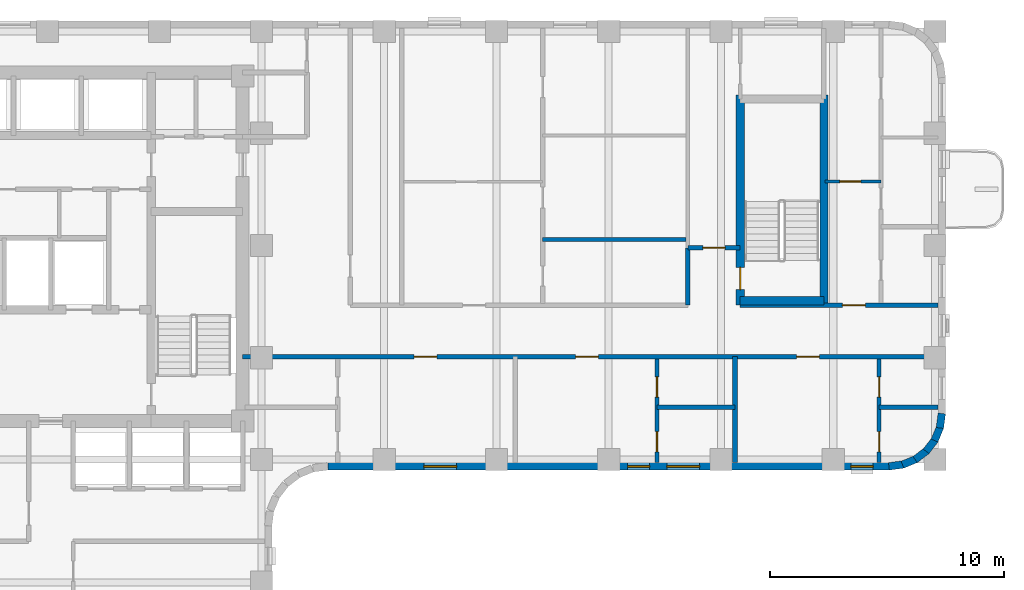
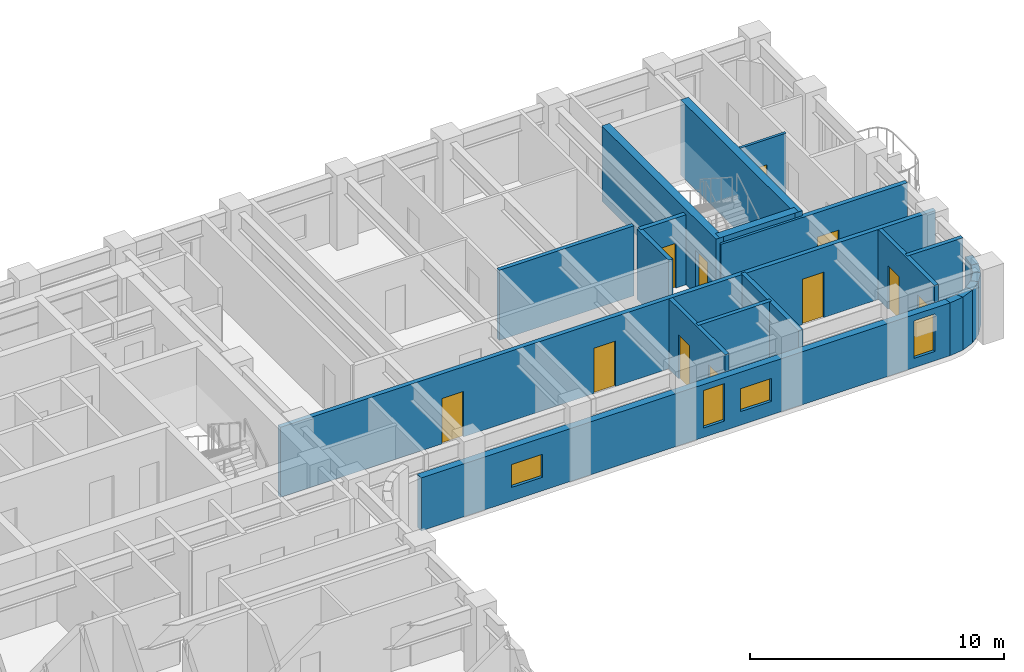
# One storey, part 7 of 11: 21 walls, 11 doors, 4 windows, 15 openings.
"""IFC4 building model written with IfcOpenShell, lengths in metres."""

from ifc_helpers import new_model, si_unit, direction, frame, frame_2d, origin, place, context, subcontext, project, spatial, rectangle, extrude, material, layer, layer_set, type_object, element, fill, save


model = new_model("IFC4")

# Units and contexts
model_context = context("Model", 3, precision=1e-05, world=origin(), true_north=direction((0.0, 1.0)))
body_context = subcontext(model_context, "Body", "Model", "MODEL_VIEW")
ifc_project = project(units=[si_unit("LENGTHUNIT", "METRE"), si_unit("AREAUNIT", "SQUARE_METRE"), si_unit("VOLUMEUNIT", "CUBIC_METRE"), si_unit("PLANEANGLEUNIT", "RADIAN"), si_unit("MASSUNIT", "GRAM", prefix="KILO")], contexts=[model_context])

# Site, building, storey
site_placement = place(None, origin())
site = spatial("IfcSite", under=ifc_project, at=site_placement, CompositionType="ELEMENT")
building_placement = place(site_placement, origin())
building = spatial("IfcBuilding", under=site, at=building_placement, Name="Orvandelia Arch Residences", CompositionType="ELEMENT")
storey_placement = place(building_placement, frame((0.0, 0.0, 125.199951171875)))
storey = spatial("IfcBuildingStorey", under=building, at=storey_placement, Name="L32", CompositionType="ELEMENT", Elevation=125.199951171875)

# Wall, opening, door
ifc_material_1 = material(Name="Concrete C50/60", Category="concrete")
ifc_layer_1 = layer(ifc_material_1, 0.35009765625, Name="Concrete C50/60", Category="concrete")
ifc_layer_set_1 = layer_set([ifc_layer_1], Name="Concrete C50/60")
wall_type_1 = type_object("IfcWallType", Name="WL-CORE-350", PredefinedType="SHEAR", material=ifc_layer_set_1)
wall_1_placement = place(storey_placement, frame((44.02001953125, 35.864990234375, 0.0), z_axis=(0.0, 0.0, 1.0), x_axis=(0.0, 1.0, 0.0)))
wall_1 = element("IfcWall", 1, at=wall_1_placement, inside=storey, type_object=wall_type_1, Name="East Stair Core Shear Wall L32-W", PredefinedType="SHEAR", context=body_context, shape_type="SweptSolid", body=[
    extrude(rectangle(XDim=8.969970703125, YDim=0.35009765625, at=frame_2d((4.48486328125, 0.0))), origin(), (0.0, 0.0, 1.0), 3.60009765625),
])
opening_1_placement = place(wall_1_placement, frame((0.64990234375, 0.0, 0.0)))
opening_1 = element("IfcOpeningElement", 2, at=opening_1_placement, cuts=wall_1, Name="Opening D7", PredefinedType="OPENING", context=body_context, shape_type="SweptSolid", body=[
    extrude(rectangle(XDim=0.949951171875, YDim=2.10009765625, at=frame_2d((0.47509765625, 1.050048828125))), frame((0.0, 0.18505859375, 0.0), z_axis=(0.0, -1.0, 0.0), x_axis=(1.0, 0.0, 0.0)), (0.0, 0.0, 1.0), 0.3701171875),
])
ifc_material_2 = material(Name="Pressurised Stairwell Fire Door")
door_type_1 = type_object("IfcDoorType", Name="DR-STAIR-950", OperationType="NOTDEFINED", PredefinedType="DOOR", material=ifc_material_2)
door_1_placement = place(opening_1_placement, origin())
door_1 = element("IfcDoor", 3, at=door_1_placement, inside=storey, type_object=door_type_1, Name="East Stairwell ST-3 Fire Door L32", OperationType="SINGLE_SWING_LEFT", OverallHeight=2.10009765625, OverallWidth=0.949951171875, PredefinedType="DOOR", context=body_context, shape_type="SweptSolid", body=[
    extrude(rectangle(XDim=0.949951171875, YDim=2.10009765625, at=frame_2d((0.47509765625, 1.050048828125))), frame((0.0, 0.02490234375, 0.0), z_axis=(0.0, -1.0, 0.0), x_axis=(1.0, 0.0, 0.0)), (0.0, 0.0, 1.0), 0.050048828125),
])
fill(opening_1, door_1)

# Walls
wall_2_placement = place(storey_placement, frame((47.60009765625, 35.864990234375, 0.0), z_axis=(0.0, 0.0, 1.0), x_axis=(0.0, 1.0, 0.0)))
element("IfcWall", 4, at=wall_2_placement, inside=storey, type_object=wall_type_1, Name="East Stair Core Shear Wall L32-E", PredefinedType="SHEAR", context=body_context, shape_type="SweptSolid", body=[
    extrude(rectangle(XDim=8.969970703125, YDim=0.35009765625, at=frame_2d((4.48486328125, 0.0))), origin(), (0.0, 0.0, 1.0), 3.60009765625),
])
wall_3_placement = place(storey_placement, frame((44.02001953125, 36.0400390625, 0.0), z_axis=(0.0, 0.0, 1.0), x_axis=(1.0, 0.0, 0.0)))
element("IfcWall", 5, at=wall_3_placement, inside=storey, type_object=wall_type_1, Name="East Stair Core Shear Wall L32-S", PredefinedType="SHEAR", context=body_context, shape_type="SweptSolid", body=[
    extrude(rectangle(XDim=3.580078125, YDim=0.35009765625, at=frame_2d((1.7900390625, 0.0))), origin(), (0.0, 0.0, 1.0), 3.60009765625),
])

# Wall, openings, doors
ifc_material_3 = material(Name="Fire-Rated Corridor Partition")
ifc_layer_2 = layer(ifc_material_3, 0.199951171875, Name="Fire-Rated Corridor Partition")
ifc_layer_set_2 = layer_set([ifc_layer_2], Name="Fire-Rated Corridor Partition")
wall_type_2 = type_object("IfcWallType", Name="WL-CORR-200", PredefinedType="PARTITIONING", material=ifc_layer_set_2)
wall_4_placement = place(storey_placement, frame((22.75, 33.64990234375, 0.0), z_axis=(0.0, 0.0, 1.0), x_axis=(1.0, 0.0, 0.0)))
wall_4 = element("IfcWall", 6, at=wall_4_placement, inside=storey, type_object=wall_type_2, Name="Interior Partition Wall WL-L32-ES-S", PredefinedType="PARTITIONING", context=body_context, shape_type="SweptSolid", body=[
    extrude(rectangle(XDim=29.72998046875, YDim=0.199951171875, at=frame_2d((14.864990234375, 0.0))), origin(), (0.0, 0.0, 1.0), 3.360107421875),
])
opening_2_placement = place(wall_4_placement, frame((7.326904296875, 0.0, 0.0)))
opening_2 = element("IfcOpeningElement", 7, at=opening_2_placement, cuts=wall_4, Name="Opening D1", PredefinedType="OPENING", context=body_context, shape_type="SweptSolid", body=[
    extrude(rectangle(XDim=0.97998046875, YDim=2.179931640625, at=frame_2d((0.489990234375, 1.08984375))), frame((0.0, 0.10986328125, 0.0), z_axis=(0.0, -1.0, 0.0), x_axis=(1.0, 0.0, 0.0)), (0.0, 0.0, 1.0), 0.219970703125),
])
opening_3_placement = place(wall_4_placement, frame((14.23095703125, 0.0, 0.0)))
opening_3 = element("IfcOpeningElement", 8, at=opening_3_placement, cuts=wall_4, Name="Opening D1", PredefinedType="OPENING", context=body_context, shape_type="SweptSolid", body=[
    extrude(rectangle(XDim=0.97998046875, YDim=2.179931640625, at=frame_2d((0.489990234375, 1.08984375))), frame((0.0, 0.10986328125, 0.0), z_axis=(0.0, -1.0, 0.0), x_axis=(1.0, 0.0, 0.0)), (0.0, 0.0, 1.0), 0.219970703125),
])
opening_4_placement = place(wall_4_placement, frame((23.679931640625, 0.0, 0.0)))
opening_4 = element("IfcOpeningElement", 9, at=opening_4_placement, cuts=wall_4, Name="Opening D1", PredefinedType="OPENING", context=body_context, shape_type="SweptSolid", body=[
    extrude(rectangle(XDim=0.97998046875, YDim=2.179931640625, at=frame_2d((0.489990234375, 1.08984375))), frame((0.0, 0.10986328125, 0.0), z_axis=(0.0, -1.0, 0.0), x_axis=(1.0, 0.0, 0.0)), (0.0, 0.0, 1.0), 0.219970703125),
])
ifc_material_4 = material(Name="Solid-Core Timber Acoustic Fire Door", Category="wood")
door_type_2 = type_object("IfcDoorType", Name="DR-ENT-980", OperationType="NOTDEFINED", PredefinedType="DOOR", material=ifc_material_4)
door_2_placement = place(opening_2_placement, origin())
door_2 = element("IfcDoor", 10, at=door_2_placement, inside=storey, type_object=door_type_2, Name="Unit L32-05 Entrance Door", OperationType="SINGLE_SWING_LEFT", OverallHeight=2.179931640625, OverallWidth=0.97998046875, PredefinedType="DOOR", context=body_context, shape_type="SweptSolid", body=[
    extrude(rectangle(XDim=0.97998046875, YDim=2.179931640625, at=frame_2d((0.489990234375, 1.08984375))), frame((0.0, 0.02490234375, 0.0), z_axis=(0.0, -1.0, 0.0), x_axis=(1.0, 0.0, 0.0)), (0.0, 0.0, 1.0), 0.050048828125),
])
fill(opening_2, door_2)
door_3_placement = place(opening_3_placement, origin())
door_3 = element("IfcDoor", 11, at=door_3_placement, inside=storey, type_object=door_type_2, Name="Unit L32-06 Entrance Door", OperationType="SINGLE_SWING_RIGHT", OverallHeight=2.179931640625, OverallWidth=0.97998046875, PredefinedType="DOOR", context=body_context, shape_type="SweptSolid", body=[
    extrude(rectangle(XDim=0.97998046875, YDim=2.179931640625, at=frame_2d((0.489990234375, 1.08984375))), frame((0.0, 0.02490234375, 0.0), z_axis=(0.0, -1.0, 0.0), x_axis=(1.0, 0.0, 0.0)), (0.0, 0.0, 1.0), 0.050048828125),
])
fill(opening_3, door_3)
door_4_placement = place(opening_4_placement, origin())
door_4 = element("IfcDoor", 12, at=door_4_placement, inside=storey, type_object=door_type_2, Name="Unit L32-07 Entrance Door", OperationType="SINGLE_SWING_LEFT", OverallHeight=2.179931640625, OverallWidth=0.97998046875, PredefinedType="DOOR", context=body_context, shape_type="SweptSolid", body=[
    extrude(rectangle(XDim=0.97998046875, YDim=2.179931640625, at=frame_2d((0.489990234375, 1.08984375))), frame((0.0, 0.02490234375, 0.0), z_axis=(0.0, -1.0, 0.0), x_axis=(1.0, 0.0, 0.0)), (0.0, 0.0, 1.0), 0.050048828125),
])
fill(opening_4, door_4)

# Wall, opening, door
wall_5_placement = place(storey_placement, frame((44.02001953125, 35.85009765625, 0.0), z_axis=(0.0, 0.0, 1.0), x_axis=(1.0, 0.0, 0.0)))
wall_5 = element("IfcWall", 13, at=wall_5_placement, inside=storey, type_object=wall_type_2, Name="Interior Partition Wall WL-L32-ES-N2", PredefinedType="PARTITIONING", context=body_context, shape_type="SweptSolid", body=[
    extrude(rectangle(XDim=8.4599609375, YDim=0.199951171875, at=frame_2d((4.22998046875, 0.0))), origin(), (0.0, 0.0, 1.0), 3.360107421875),
])
opening_5_placement = place(wall_5_placement, frame((4.37158203125, 0.0, 0.0)))
opening_5 = element("IfcOpeningElement", 14, at=opening_5_placement, cuts=wall_5, Name="Opening D1", PredefinedType="OPENING", context=body_context, shape_type="SweptSolid", body=[
    extrude(rectangle(XDim=0.97998046875, YDim=2.179931640625, at=frame_2d((0.489990234375, 1.08984375))), frame((0.0, 0.10986328125, 0.0), z_axis=(0.0, -1.0, 0.0), x_axis=(1.0, 0.0, 0.0)), (0.0, 0.0, 1.0), 0.219970703125),
])
door_5_placement = place(opening_5_placement, origin())
door_5 = element("IfcDoor", 15, at=door_5_placement, inside=storey, type_object=door_type_2, Name="Unit L32-09 Entrance Door", OperationType="SINGLE_SWING_LEFT", OverallHeight=2.179931640625, OverallWidth=0.97998046875, PredefinedType="DOOR", context=body_context, shape_type="SweptSolid", body=[
    extrude(rectangle(XDim=0.97998046875, YDim=2.179931640625, at=frame_2d((0.489990234375, 1.08984375))), frame((0.0, 0.02490234375, 0.0), z_axis=(0.0, -1.0, 0.0), x_axis=(1.0, 0.0, 0.0)), (0.0, 0.0, 1.0), 0.050048828125),
])
fill(opening_5, door_5)

# Wall
wall_6_placement = place(storey_placement, frame((41.780029296875, 35.85009765625, 0.0), z_axis=(0.0, 0.0, 1.0), x_axis=(0.0, 1.0, 0.0)))
element("IfcWall", 16, at=wall_6_placement, inside=storey, type_object=wall_type_2, Name="Interior Partition Wall WL-L32-ES-SW", PredefinedType="PARTITIONING", context=body_context, shape_type="SweptSolid", body=[
    extrude(rectangle(XDim=2.449951171875, YDim=0.199951171875, at=frame_2d((1.22509765625, 0.0))), origin(), (0.0, 0.0, 1.0), 3.360107421875),
])

# Wall, opening, door
wall_7_placement = place(storey_placement, frame((41.780029296875, 38.300048828125, 0.0), z_axis=(0.0, 0.0, 1.0), x_axis=(1.0, 0.0, 0.0)))
wall_7 = element("IfcWall", 17, at=wall_7_placement, inside=storey, type_object=wall_type_2, Name="Interior Partition Wall WL-L32-ES-SN", PredefinedType="PARTITIONING", context=body_context, shape_type="SweptSolid", body=[
    extrude(rectangle(XDim=2.239990234375, YDim=0.199951171875, at=frame_2d((1.1201171875, 0.0))), origin(), (0.0, 0.0, 1.0), 3.360107421875),
])
opening_6_placement = place(wall_7_placement, frame((0.64990234375, 0.0, 0.0)))
opening_6 = element("IfcOpeningElement", 18, at=opening_6_placement, cuts=wall_7, Name="Opening D2", PredefinedType="OPENING", context=body_context, shape_type="SweptSolid", body=[
    extrude(rectangle(XDim=0.949951171875, YDim=2.14990234375, at=frame_2d((0.47509765625, 1.074951171875))), frame((0.0, 0.10986328125, 0.0), z_axis=(0.0, -1.0, 0.0), x_axis=(1.0, 0.0, 0.0)), (0.0, 0.0, 1.0), 0.219970703125),
])
ifc_material_5 = material(Name="Solid-Core Timber Interior Fire Door", Category="wood")
door_type_3 = type_object("IfcDoorType", Name="DR-APT-950", OperationType="NOTDEFINED", PredefinedType="DOOR", material=ifc_material_5)
door_6_placement = place(opening_6_placement, origin())
door_6 = element("IfcDoor", 19, at=door_6_placement, inside=storey, type_object=door_type_3, Name="DR-L32-ESSPK", OperationType="SINGLE_SWING_LEFT", OverallHeight=2.14990234375, OverallWidth=0.949951171875, PredefinedType="DOOR", context=body_context, shape_type="SweptSolid", body=[
    extrude(rectangle(XDim=0.949951171875, YDim=2.14990234375, at=frame_2d((0.47509765625, 1.074951171875))), frame((0.0, 0.02490234375, 0.0), z_axis=(0.0, -1.0, 0.0), x_axis=(1.0, 0.0, 0.0)), (0.0, 0.0, 1.0), 0.050048828125),
])
fill(opening_6, door_6)

# Walls
ifc_material_6 = material(Name="Concrete C40/50", Category="concrete")
ifc_layer_3 = layer(ifc_material_6, 0.199951171875, Name="Concrete C40/50", Category="concrete")
ifc_layer_set_3 = layer_set([ifc_layer_3], Name="Concrete C40/50")
wall_type_3 = type_object("IfcWallType", Name="WL-DEM-200", PredefinedType="SOLIDWALL", material=ifc_layer_set_3)
wall_8_placement = place(storey_placement, frame((43.800048828125, 29.1201171875, 0.0), z_axis=(0.0, 0.0, 1.0), x_axis=(0.0, 1.0, 0.0)))
element("IfcWall", 20, at=wall_8_placement, inside=storey, type_object=wall_type_3, Name="Interior Partition Wall WL-L32-DEM-ESS-438", PredefinedType="SOLIDWALL", context=body_context, shape_type="SweptSolid", body=[
    extrude(rectangle(XDim=4.52978515625, YDim=0.199951171875, at=frame_2d((2.264892578125, 0.0))), origin(), (0.0, 0.0, 1.0), 3.360107421875),
])
ifc_material_7 = material(Name="Precast concrete C40/50", Category="concrete")
ifc_layer_4 = layer(ifc_material_7, 0.320068359375, Name="Precast concrete C40/50", Category="concrete")
ifc_layer_set_4 = layer_set([ifc_layer_4], Name="Precast concrete C40/50")
wall_type_4 = type_object("IfcWallType", Name="WL-EXT-STONE-320", PredefinedType="STANDARD", material=ifc_layer_set_4)
wall_9_placement = place(storey_placement, frame((52.641357421875, 31.220947265625, 0.0), z_axis=(0.0, 0.0, 1.0), x_axis=(-0.130504898859, -0.991447664465, 0.0)))
element("IfcWall", 21, at=wall_9_placement, inside=storey, type_object=wall_type_4, Name="Coral-Limestone Precast Facade Wall L32-015", PredefinedType="STANDARD", context=body_context, shape_type="SweptSolid", body=[
    extrude(rectangle(XDim=0.626708984375, YDim=0.320068359375, at=frame_2d((0.3134765625, 0.0))), origin(), (0.0, 0.0, 1.0), 2.5400390625),
])
wall_10_placement = place(storey_placement, frame((52.5703125, 30.639892578125, 0.0), z_axis=(0.0, 0.0, 1.0), x_axis=(-0.382455093999, -0.923974080304, 0.0)))
element("IfcWall", 22, at=wall_10_placement, inside=storey, type_object=wall_type_4, Name="Coral-Limestone Precast Facade Wall L32-016", PredefinedType="STANDARD", context=body_context, shape_type="SweptSolid", body=[
    extrude(rectangle(XDim=0.626220703125, YDim=0.320068359375, at=frame_2d((0.31298828125, 0.0))), origin(), (0.0, 0.0, 1.0), 2.5400390625),
])
wall_11_placement = place(storey_placement, frame((52.3515625, 30.097412109375, 0.0), z_axis=(0.0, 0.0, 1.0), x_axis=(-0.608693302629, -0.793405610854, 0.0)))
element("IfcWall", 23, at=wall_11_placement, inside=storey, type_object=wall_type_4, Name="Coral-Limestone Precast Facade Wall L32-017", PredefinedType="STANDARD", context=body_context, shape_type="SweptSolid", body=[
    extrude(rectangle(XDim=0.62646484375, YDim=0.320068359375, at=frame_2d((0.313232421875, 0.0))), origin(), (0.0, 0.0, 1.0), 2.5400390625),
])
wall_12_placement = place(storey_placement, frame((51.999755859375, 29.6298828125, 0.0), z_axis=(0.0, 0.0, 1.0), x_axis=(-0.7932174212, -0.608938521285, 0.0)))
element("IfcWall", 24, at=wall_12_placement, inside=storey, type_object=wall_type_4, Name="Coral-Limestone Precast Facade Wall L32-018", PredefinedType="STANDARD", context=body_context, shape_type="SweptSolid", body=[
    extrude(rectangle(XDim=0.626708984375, YDim=0.320068359375, at=frame_2d((0.3134765625, 0.0))), origin(), (0.0, 0.0, 1.0), 2.5400390625),
])
for number, where, z_axis, x_axis, name in (
    (25, (51.538818359375, 29.269287109375, 0.0), (0.0, 0.0, 1.0), (-0.92389335771, -0.382650053678, 0.0), "Coral-Limestone Precast Facade Wall L32-019"),
    (26, (51.000244140625, 29.040283203125, 0.0), (0.0, 0.0, 1.0), (-0.9914410257, -0.130555323746, 0.0), "Coral-Limestone Precast Facade Wall L32-020"),
):
    element("IfcWall", number, at=place(storey_placement, frame(where, z_axis=z_axis, x_axis=x_axis)), inside=storey, type_object=wall_type_4, Name=name, PredefinedType="STANDARD", context=body_context, shape_type="SweptSolid", body=[
        extrude(rectangle(XDim=0.62646484375, YDim=0.320068359375, at=frame_2d((0.313232421875, 0.0))), origin(), (0.0, 0.0, 1.0), 2.5400390625),
    ])

# Wall, openings, windows
wall_13_placement = place(storey_placement, frame((50.39990234375, 28.9599609375, 0.0), z_axis=(0.0, 0.0, 1.0), x_axis=(-1.0, 0.0, 0.0)))
wall_13 = element("IfcWall", 27, at=wall_13_placement, inside=storey, type_object=wall_type_4, Name="Coral-Limestone Precast Facade Wall L32-021", PredefinedType="STANDARD", context=body_context, shape_type="SweptSolid", body=[
    extrude(rectangle(XDim=24.0, YDim=0.320068359375, at=frame_2d((12.0, 0.0))), origin(), (0.0, 0.0, 1.0), 2.5400390625),
])
opening_7_placement = place(wall_13_placement, frame((18.5, 0.0, 0.64990234375)))
opening_7 = element("IfcOpeningElement", 28, at=opening_7_placement, cuts=wall_13, Name="Opening W10", PredefinedType="OPENING", context=body_context, shape_type="SweptSolid", body=[
    extrude(rectangle(XDim=1.39990234375, YDim=1.10009765625, at=frame_2d((0.699951171875, 0.550048828125))), frame((0.0, 0.169921875, 0.0), z_axis=(0.0, -1.0, 0.0), x_axis=(1.0, 0.0, 0.0)), (0.0, 0.0, 1.0), 0.340087890625),
])
opening_8_placement = place(wall_13_placement, frame((10.24658203125, 0.0, 0.449951171875)))
opening_8 = element("IfcOpeningElement", 29, at=opening_8_placement, cuts=wall_13, Name="Opening W4", PredefinedType="OPENING", context=body_context, shape_type="SweptSolid", body=[
    extrude(rectangle(XDim=0.949951171875, YDim=1.800048828125, at=frame_2d((0.47509765625, 0.89990234375))), frame((0.0, 0.169921875, 0.0), z_axis=(0.0, -1.0, 0.0), x_axis=(1.0, 0.0, 0.0)), (0.0, 0.0, 1.0), 0.340087890625),
])
opening_9_placement = place(wall_13_placement, frame((0.697509765625, 0.0, 0.449951171875)))
opening_9 = element("IfcOpeningElement", 30, at=opening_9_placement, cuts=wall_13, Name="Opening W4", PredefinedType="OPENING", context=body_context, shape_type="SweptSolid", body=[
    extrude(rectangle(XDim=0.949951171875, YDim=1.800048828125, at=frame_2d((0.47509765625, 0.89990234375))), frame((0.0, 0.169921875, 0.0), z_axis=(0.0, -1.0, 0.0), x_axis=(1.0, 0.0, 0.0)), (0.0, 0.0, 1.0), 0.340087890625),
])
opening_10_placement = place(wall_13_placement, frame((8.116455078125, 0.0, 0.64990234375)))
opening_10 = element("IfcOpeningElement", 31, at=opening_10_placement, cuts=wall_13, Name="Opening W10", PredefinedType="OPENING", context=body_context, shape_type="SweptSolid", body=[
    extrude(rectangle(XDim=1.39990234375, YDim=1.10009765625, at=frame_2d((0.699951171875, 0.550048828125))), frame((0.0, 0.169921875, 0.0), z_axis=(0.0, -1.0, 0.0), x_axis=(1.0, 0.0, 0.0)), (0.0, 0.0, 1.0), 0.340087890625),
])
ifc_material_8 = material(Name="Tempered Low-E Insulated Glazing", Category="glass")
window_type_1 = type_object("IfcWindowType", Name="WIN-CLR-1400x1100", PartitioningType="SINGLE_PANEL", PredefinedType="WINDOW", material=ifc_material_8)
window_1_placement = place(opening_7_placement, origin())
window_1 = element("IfcWindow", 32, at=window_1_placement, inside=storey, type_object=window_type_1, Name="Recessed Punched Window L32-013", OverallHeight=1.10009765625, OverallWidth=1.39990234375, PartitioningType="SINGLE_PANEL", PredefinedType="WINDOW", context=body_context, shape_type="SweptSolid", body=[
    extrude(rectangle(XDim=1.39990234375, YDim=1.10009765625, at=frame_2d((0.699951171875, 0.550048828125))), frame((0.0, 0.030029296875, 0.0), z_axis=(0.0, -1.0, 0.0), x_axis=(1.0, 0.0, 0.0)), (0.0, 0.0, 1.0), 0.06005859375),
])
fill(opening_7, window_1)
window_2_placement = place(opening_10_placement, origin())
window_2 = element("IfcWindow", 33, at=window_2_placement, inside=storey, type_object=window_type_1, Name="Recessed Punched Window L32-016", OverallHeight=1.10009765625, OverallWidth=1.39990234375, PartitioningType="SINGLE_PANEL", PredefinedType="WINDOW", context=body_context, shape_type="SweptSolid", body=[
    extrude(rectangle(XDim=1.39990234375, YDim=1.10009765625, at=frame_2d((0.699951171875, 0.550048828125))), frame((0.0, 0.030029296875, 0.0), z_axis=(0.0, -1.0, 0.0), x_axis=(1.0, 0.0, 0.0)), (0.0, 0.0, 1.0), 0.06005859375),
])
fill(opening_10, window_2)
window_type_2 = type_object("IfcWindowType", Name="WIN-RES-0950x1800", PartitioningType="SINGLE_PANEL", PredefinedType="WINDOW", material=ifc_material_8)
window_3_placement = place(opening_8_placement, origin())
window_3 = element("IfcWindow", 34, at=window_3_placement, inside=storey, type_object=window_type_2, Name="Recessed Punched Window L32-014", OverallHeight=1.800048828125, OverallWidth=0.949951171875, PartitioningType="SINGLE_PANEL", PredefinedType="WINDOW", context=body_context, shape_type="SweptSolid", body=[
    extrude(rectangle(XDim=0.949951171875, YDim=1.800048828125, at=frame_2d((0.47509765625, 0.89990234375))), frame((0.0, 0.030029296875, 0.0), z_axis=(0.0, -1.0, 0.0), x_axis=(1.0, 0.0, 0.0)), (0.0, 0.0, 1.0), 0.06005859375),
])
fill(opening_8, window_3)
window_4_placement = place(opening_9_placement, origin())
window_4 = element("IfcWindow", 35, at=window_4_placement, inside=storey, type_object=window_type_2, Name="Recessed Punched Window L32-015", OverallHeight=1.800048828125, OverallWidth=0.949951171875, PartitioningType="SINGLE_PANEL", PredefinedType="WINDOW", context=body_context, shape_type="SweptSolid", body=[
    extrude(rectangle(XDim=0.949951171875, YDim=1.800048828125, at=frame_2d((0.47509765625, 0.89990234375))), frame((0.0, 0.030029296875, 0.0), z_axis=(0.0, -1.0, 0.0), x_axis=(1.0, 0.0, 0.0)), (0.0, 0.0, 1.0), 0.06005859375),
])
fill(opening_9, window_4)

# Wall, opening, door
ifc_material_9 = material(Name="Lightweight Gypsum Stud Partition")
ifc_layer_5 = layer(ifc_material_9, 0.1201171875, Name="Lightweight Gypsum Stud Partition")
ifc_layer_set_5 = layer_set([ifc_layer_5], Name="Lightweight Gypsum Stud Partition")
wall_type_5 = type_object("IfcWallType", Name="WL-PART-120", PredefinedType="PARTITIONING", material=ifc_layer_set_5)
wall_14_placement = place(storey_placement, frame((47.639892578125, 41.137939453125, 0.0), z_axis=(0.0, 0.0, 1.0), x_axis=(1.0, 0.0, 0.0)))
wall_14 = element("IfcWall", 36, at=wall_14_placement, inside=storey, type_object=wall_type_5, Name="Interior Partition Wall WL-L32-U09-DIN", PredefinedType="PARTITIONING", context=body_context, shape_type="SweptSolid", body=[
    extrude(rectangle(XDim=2.403076171875, YDim=0.1201171875, at=frame_2d((1.20166015625, 0.0))), origin(), (0.0, 0.0, 1.0), 3.360107421875),
])
opening_11_placement = place(wall_14_placement, frame((0.640380859375, 0.0, 0.0)))
opening_11 = element("IfcOpeningElement", 37, at=opening_11_placement, cuts=wall_14, Name="Opening D3", PredefinedType="OPENING", context=body_context, shape_type="SweptSolid", body=[
    extrude(rectangle(XDim=0.89990234375, YDim=2.14990234375, at=frame_2d((0.449951171875, 1.074951171875))), frame((0.0, 0.070068359375, 0.0), z_axis=(0.0, -1.0, 0.0), x_axis=(1.0, 0.0, 0.0)), (0.0, 0.0, 1.0), 0.14013671875),
])
ifc_material_10 = material(Name="Engineered Timber Flush Door", Category="wood")
door_type_4 = type_object("IfcDoorType", Name="DR-INT-900", OperationType="NOTDEFINED", PredefinedType="DOOR", material=ifc_material_10)
door_7_placement = place(opening_11_placement, origin())
door_7 = element("IfcDoor", 38, at=door_7_placement, inside=storey, type_object=door_type_4, Name="DR-L32-U09-DIN", OperationType="SINGLE_SWING_RIGHT", OverallHeight=2.14990234375, OverallWidth=0.89990234375, PredefinedType="DOOR", context=body_context, shape_type="SweptSolid", body=[
    extrude(rectangle(XDim=0.89990234375, YDim=2.14990234375, at=frame_2d((0.449951171875, 1.074951171875))), frame((0.0, 0.02490234375, 0.0), z_axis=(0.0, -1.0, 0.0), x_axis=(1.0, 0.0, 0.0)), (0.0, 0.0, 1.0), 0.050048828125),
])
fill(opening_11, door_7)

# Wall, openings, doors
ifc_material_11 = material(Name="Moisture-Resistant Plumbing Wall")
ifc_layer_6 = layer(ifc_material_11, 0.179931640625, Name="Moisture-Resistant Plumbing Wall")
ifc_layer_set_6 = layer_set([ifc_layer_6], Name="Moisture-Resistant Plumbing Wall")
wall_type_6 = type_object("IfcWallType", Name="WL-WET-180", PredefinedType="PLUMBINGWALL", material=ifc_layer_set_6)
wall_15_placement = place(storey_placement, frame((40.4619140625, 29.1201171875, 0.0), z_axis=(0.0, 0.0, 1.0), x_axis=(0.0, 1.0, 0.0)))
wall_15 = element("IfcWall", 39, at=wall_15_placement, inside=storey, type_object=wall_type_6, Name="Interior Partition Wall WL-L32-U06-VT", PredefinedType="PLUMBINGWALL", context=body_context, shape_type="SweptSolid", body=[
    extrude(rectangle(XDim=4.429931640625, YDim=0.179931640625, at=frame_2d((2.21484375, 0.0))), origin(), (0.0, 0.0, 1.0), 3.360107421875),
])
opening_12_placement = place(wall_15_placement, frame((0.458740234375, 0.0, 0.0)))
opening_12 = element("IfcOpeningElement", 40, at=opening_12_placement, cuts=wall_15, Name="Opening D4", PredefinedType="OPENING", context=body_context, shape_type="SweptSolid", body=[
    extrude(rectangle(XDim=0.860107421875, YDim=2.10009765625, at=frame_2d((0.43017578125, 1.050048828125))), frame((0.0, 0.10009765625, 0.0), z_axis=(0.0, -1.0, 0.0), x_axis=(1.0, 0.0, 0.0)), (0.0, 0.0, 1.0), 0.199951171875),
])
opening_13_placement = place(wall_15_placement, frame((2.79931640625, 0.0, 0.0)))
opening_13 = element("IfcOpeningElement", 41, at=opening_13_placement, cuts=wall_15, Name="Opening D4", PredefinedType="OPENING", context=body_context, shape_type="SweptSolid", body=[
    extrude(rectangle(XDim=0.860107421875, YDim=2.10009765625, at=frame_2d((0.43017578125, 1.050048828125))), frame((0.0, 0.10009765625, 0.0), z_axis=(0.0, -1.0, 0.0), x_axis=(1.0, 0.0, 0.0)), (0.0, 0.0, 1.0), 0.199951171875),
])
ifc_material_12 = material(Name="Moisture-Sealed Timber Bathroom Door", Category="wood")
door_type_5 = type_object("IfcDoorType", Name="DR-WET-900", OperationType="NOTDEFINED", PredefinedType="DOOR", material=ifc_material_12)
door_8_placement = place(opening_12_placement, origin())
door_8 = element("IfcDoor", 42, at=door_8_placement, inside=storey, type_object=door_type_5, Name="DR-L32-U06-KIT", OperationType="SINGLE_SWING_RIGHT", OverallHeight=2.10009765625, OverallWidth=0.860107421875, PredefinedType="DOOR", context=body_context, shape_type="SweptSolid", body=[
    extrude(rectangle(XDim=0.860107421875, YDim=2.10009765625, at=frame_2d((0.43017578125, 1.050048828125))), frame((0.0, 0.02490234375, 0.0), z_axis=(0.0, -1.0, 0.0), x_axis=(1.0, 0.0, 0.0)), (0.0, 0.0, 1.0), 0.050048828125),
])
fill(opening_12, door_8)
door_9_placement = place(opening_13_placement, origin())
door_9 = element("IfcDoor", 43, at=door_9_placement, inside=storey, type_object=door_type_5, Name="DR-L32-U06-BTH", OperationType="SINGLE_SWING_LEFT", OverallHeight=2.10009765625, OverallWidth=0.860107421875, PredefinedType="DOOR", context=body_context, shape_type="SweptSolid", body=[
    extrude(rectangle(XDim=0.860107421875, YDim=2.10009765625, at=frame_2d((0.43017578125, 1.050048828125))), frame((0.0, 0.02490234375, 0.0), z_axis=(0.0, -1.0, 0.0), x_axis=(1.0, 0.0, 0.0)), (0.0, 0.0, 1.0), 0.050048828125),
])
fill(opening_13, door_9)

# Wall
wall_16_placement = place(storey_placement, frame((40.4619140625, 31.485107421875, 0.0), z_axis=(0.0, 0.0, 1.0), x_axis=(1.0, 0.0, 0.0)))
element("IfcWall", 44, at=wall_16_placement, inside=storey, type_object=wall_type_6, Name="Interior Partition Wall WL-L32-U06-H1", PredefinedType="PLUMBINGWALL", context=body_context, shape_type="SweptSolid", body=[
    extrude(rectangle(XDim=3.338134765625, YDim=0.179931640625, at=frame_2d((1.6689453125, 0.0))), origin(), (0.0, 0.0, 1.0), 3.360107421875),
])

# Wall, openings, doors
wall_17_placement = place(storey_placement, frame((49.9599609375, 29.1201171875, 0.0), z_axis=(0.0, 0.0, 1.0), x_axis=(0.0, 1.0, 0.0)))
wall_17 = element("IfcWall", 45, at=wall_17_placement, inside=storey, type_object=wall_type_6, Name="Interior Partition Wall WL-L32-U07-VT", PredefinedType="PLUMBINGWALL", context=body_context, shape_type="SweptSolid", body=[
    extrude(rectangle(XDim=4.429931640625, YDim=0.179931640625, at=frame_2d((2.21484375, 0.0))), origin(), (0.0, 0.0, 1.0), 3.360107421875),
])
opening_14_placement = place(wall_17_placement, frame((0.458740234375, 0.0, 0.0)))
opening_14 = element("IfcOpeningElement", 46, at=opening_14_placement, cuts=wall_17, Name="Opening D4", PredefinedType="OPENING", context=body_context, shape_type="SweptSolid", body=[
    extrude(rectangle(XDim=0.860107421875, YDim=2.10009765625, at=frame_2d((0.43017578125, 1.050048828125))), frame((0.0, 0.10009765625, 0.0), z_axis=(0.0, -1.0, 0.0), x_axis=(1.0, 0.0, 0.0)), (0.0, 0.0, 1.0), 0.199951171875),
])
opening_15_placement = place(wall_17_placement, frame((2.79931640625, 0.0, 0.0)))
opening_15 = element("IfcOpeningElement", 47, at=opening_15_placement, cuts=wall_17, Name="Opening D4", PredefinedType="OPENING", context=body_context, shape_type="SweptSolid", body=[
    extrude(rectangle(XDim=0.860107421875, YDim=2.10009765625, at=frame_2d((0.43017578125, 1.050048828125))), frame((0.0, 0.10009765625, 0.0), z_axis=(0.0, -1.0, 0.0), x_axis=(1.0, 0.0, 0.0)), (0.0, 0.0, 1.0), 0.199951171875),
])
door_10_placement = place(opening_14_placement, origin())
door_10 = element("IfcDoor", 48, at=door_10_placement, inside=storey, type_object=door_type_5, Name="DR-L32-U07-KIT", OperationType="SINGLE_SWING_LEFT", OverallHeight=2.10009765625, OverallWidth=0.860107421875, PredefinedType="DOOR", context=body_context, shape_type="SweptSolid", body=[
    extrude(rectangle(XDim=0.860107421875, YDim=2.10009765625, at=frame_2d((0.43017578125, 1.050048828125))), frame((0.0, 0.02490234375, 0.0), z_axis=(0.0, -1.0, 0.0), x_axis=(1.0, 0.0, 0.0)), (0.0, 0.0, 1.0), 0.050048828125),
])
fill(opening_14, door_10)
door_11_placement = place(opening_15_placement, origin())
door_11 = element("IfcDoor", 49, at=door_11_placement, inside=storey, type_object=door_type_5, Name="DR-L32-U07-BTH", OperationType="SINGLE_SWING_RIGHT", OverallHeight=2.10009765625, OverallWidth=0.860107421875, PredefinedType="DOOR", context=body_context, shape_type="SweptSolid", body=[
    extrude(rectangle(XDim=0.860107421875, YDim=2.10009765625, at=frame_2d((0.43017578125, 1.050048828125))), frame((0.0, 0.02490234375, 0.0), z_axis=(0.0, -1.0, 0.0), x_axis=(1.0, 0.0, 0.0)), (0.0, 0.0, 1.0), 0.050048828125),
])
fill(opening_15, door_11)

# Walls
wall_18_placement = place(storey_placement, frame((49.9599609375, 31.485107421875, 0.0), z_axis=(0.0, 0.0, 1.0), x_axis=(1.0, 0.0, 0.0)))
element("IfcWall", 50, at=wall_18_placement, inside=storey, type_object=wall_type_6, Name="Interior Partition Wall WL-L32-U07-H1", PredefinedType="PLUMBINGWALL", context=body_context, shape_type="SweptSolid", body=[
    extrude(rectangle(XDim=2.52001953125, YDim=0.179931640625, at=frame_2d((1.260009765625, 0.0))), origin(), (0.0, 0.0, 1.0), 3.360107421875),
])
wall_19_placement = place(storey_placement, frame((35.576904296875, 38.659912109375, 0.0), z_axis=(0.0, 0.0, 1.0), x_axis=(1.0, 0.0, 0.0)))
element("IfcWall", 51, at=wall_19_placement, inside=storey, type_object=wall_type_6, Name="Interior Partition Wall WL-L32-U08-H1", PredefinedType="PLUMBINGWALL", context=body_context, shape_type="SweptSolid", body=[
    extrude(rectangle(XDim=6.123046875, YDim=0.179931640625, at=frame_2d((3.0615234375, 0.0))), origin(), (0.0, 0.0, 1.0), 3.360107421875),
])

save(model, "model.ifc")
